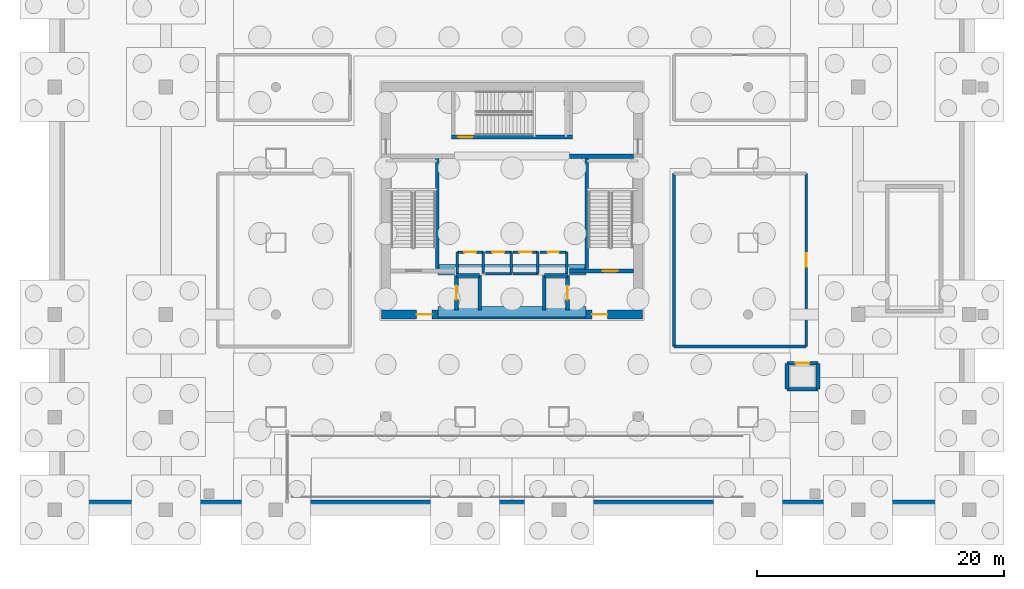
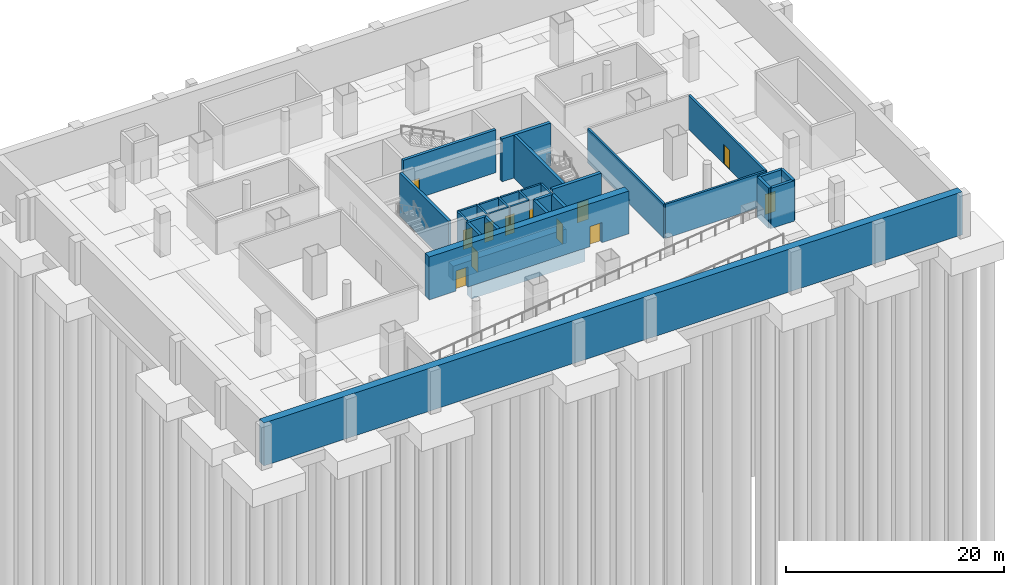
# One storey, part 4 of 11: 33 walls, 12 doors, 12 openings.
"""IFC4 building model written with IfcOpenShell, lengths in metres."""

from ifc_helpers import new_model, si_unit, direction, frame, frame_2d, origin, place, context, subcontext, project, spatial, rectangle, extrude, material, layer, layer_set, type_object, element, fill, save


model = new_model("IFC4")

# Units and contexts
model_context = context("Model", 3, precision=1e-05, world=origin(), true_north=direction((0.0, 1.0)))
body_context = subcontext(model_context, "Body", "Model", "MODEL_VIEW")
ifc_project = project(units=[si_unit("LENGTHUNIT", "METRE"), si_unit("AREAUNIT", "SQUARE_METRE"), si_unit("VOLUMEUNIT", "CUBIC_METRE"), si_unit("PLANEANGLEUNIT", "RADIAN"), si_unit("MASSUNIT", "GRAM", prefix="KILO")], contexts=[model_context])

# Site, building, storey
site_placement = place(None, origin())
site = spatial("IfcSite", under=ifc_project, at=site_placement, CompositionType="ELEMENT")
building_placement = place(site_placement, origin())
building = spatial("IfcBuilding", under=site, at=building_placement, Name="Punatoya Terracotta Tower", CompositionType="ELEMENT")
storey_placement = place(building_placement, frame((0.0, 0.0, -9.60009765625)))
storey = spatial("IfcBuildingStorey", under=building, at=storey_placement, Name="B2", CompositionType="ELEMENT", Elevation=-9.60009765625)

# Wall, openings, doors
ifc_material_1 = material(Name="Concrete C60/75", Category="concrete")
ifc_layer_1 = layer(ifc_material_1, 0.75)
ifc_layer_set_1 = layer_set([ifc_layer_1], Name="Concrete C60/75")
wall_type_1 = type_object("IfcWallType", Name="WL-COR-750", PredefinedType="SHEAR", material=ifc_layer_set_1)
wall_1_placement = place(storey_placement, frame((10.574951171875, -9.199951171875, 0.0), z_axis=(0.0, 0.0, 1.0), x_axis=(-1.0, 0.0, 0.0)))
wall_1 = element("IfcWall", 1, at=wall_1_placement, inside=storey, type_object=wall_type_1, Name="B2 Core Shear Wall S", PredefinedType="SHEAR", context=body_context, shape_type="SweptSolid", body=[
    extrude(rectangle(XDim=21.14990234375, YDim=0.75, at=frame_2d((10.574951171875, 0.0))), origin(), (0.0, 0.0, 1.0), 4.800048828125),
])
opening_1_placement = place(wall_1_placement, frame((2.85009765625, 0.0, 0.0)))
opening_1 = element("IfcOpeningElement", 2, at=opening_1_placement, cuts=wall_1, Name="Opening FD-L1", PredefinedType="OPENING", context=body_context, shape_type="SweptSolid", body=[
    extrude(rectangle(XDim=1.25, YDim=2.25, at=frame_2d((0.625, 1.125))), frame((0.0, 0.385009765625, 0.0), z_axis=(0.0, -1.0, 0.0), x_axis=(1.0, 0.0, 0.0)), (0.0, 0.0, 1.0), 0.77001953125),
])
opening_2_placement = place(wall_1_placement, frame((17.050048828125, 0.0, 0.0)))
opening_2 = element("IfcOpeningElement", 3, at=opening_2_placement, cuts=wall_1, Name="Opening FD-L1", PredefinedType="OPENING", context=body_context, shape_type="SweptSolid", body=[
    extrude(rectangle(XDim=1.25, YDim=2.25, at=frame_2d((0.625, 1.125))), frame((0.0, 0.385009765625, 0.0), z_axis=(0.0, -1.0, 0.0), x_axis=(1.0, 0.0, 0.0)), (0.0, 0.0, 1.0), 0.77001953125),
])
ifc_material_2 = material(Name="Galvanised Steel Smokeproof Fire Door", Category="steel")
door_type_1 = type_object("IfcDoorType", Name="DR-FFL-1250", OperationType="NOTDEFINED", PredefinedType="DOOR", material=ifc_material_2)
door_1_placement = place(opening_1_placement, origin())
door_1 = element("IfcDoor", 4, at=door_1_placement, inside=storey, type_object=door_type_1, Name="B2 East Firefighting Lobby Corridor Fire Door", OperationType="SINGLE_SWING_LEFT", OverallHeight=2.25, OverallWidth=1.25, PredefinedType="DOOR", context=body_context, shape_type="SweptSolid", body=[
    extrude(rectangle(XDim=1.25, YDim=2.25, at=frame_2d((0.625, 1.125))), frame((0.0, 0.02490234375, 0.0), z_axis=(0.0, -1.0, 0.0), x_axis=(1.0, 0.0, 0.0)), (0.0, 0.0, 1.0), 0.050048828125),
])
fill(opening_1, door_1)
door_2_placement = place(opening_2_placement, origin())
door_2 = element("IfcDoor", 5, at=door_2_placement, inside=storey, type_object=door_type_1, Name="B2 West Firefighting Lobby Corridor Fire Door", OperationType="SINGLE_SWING_RIGHT", OverallHeight=2.25, OverallWidth=1.25, PredefinedType="DOOR", context=body_context, shape_type="SweptSolid", body=[
    extrude(rectangle(XDim=1.25, YDim=2.25, at=frame_2d((0.625, 1.125))), frame((0.0, 0.02490234375, 0.0), z_axis=(0.0, -1.0, 0.0), x_axis=(1.0, 0.0, 0.0)), (0.0, 0.0, 1.0), 0.050048828125),
])
fill(opening_2, door_2)

# Wall, opening, door
ifc_material_3 = material(Name="Concrete C40/50", Category="concrete")
ifc_layer_2 = layer(ifc_material_3, 0.219970703125)
ifc_layer_set_2 = layer_set([ifc_layer_2], Name="Concrete C40/50")
wall_type_2 = type_object("IfcWallType", Name="WL-FIR-220", PredefinedType="SOLIDWALL", material=ifc_layer_set_2)
wall_2_placement = place(storey_placement, frame((23.800048828125, -11.800048828125, 0.0), z_axis=(0.0, 0.0, 1.0), x_axis=(0.0, 1.0, 0.0)))
wall_2 = element("IfcWall", 6, at=wall_2_placement, inside=storey, type_object=wall_type_2, Name="B2 Sewage Treatment and Greywater Recycling Plant Partition 20", PredefinedType="SOLIDWALL", context=body_context, shape_type="SweptSolid", body=[
    extrude(rectangle(XDim=14.0, YDim=0.219970703125, at=frame_2d((7.0, 0.0))), origin(), (0.0, 0.0, 1.0), 3.814208984375),
])
opening_3_placement = place(wall_2_placement, frame((6.449951171875, 0.0, 0.0)))
opening_3 = element("IfcOpeningElement", 7, at=opening_3_placement, cuts=wall_2, Name="Opening FD-P1", PredefinedType="OPENING", context=body_context, shape_type="SweptSolid", body=[
    extrude(rectangle(XDim=1.10009765625, YDim=2.199951171875, at=frame_2d((0.550048828125, 1.10009765625))), frame((0.0, 0.119873046875, 0.0), z_axis=(0.0, -1.0, 0.0), x_axis=(1.0, 0.0, 0.0)), (0.0, 0.0, 1.0), 0.239990234375),
])
ifc_material_4 = material(Name="Galvanised Steel Plant Fire Door", Category="steel")
door_type_2 = type_object("IfcDoorType", Name="DR-PLT-1100", OperationType="NOTDEFINED", PredefinedType="DOOR", material=ifc_material_4)
door_3_placement = place(opening_3_placement, origin())
door_3 = element("IfcDoor", 8, at=door_3_placement, inside=storey, type_object=door_type_2, Name="B2 Sewage Treatment and Greywater Recycling Plant Fire Door", OperationType="SINGLE_SWING_LEFT", OverallHeight=2.199951171875, OverallWidth=1.10009765625, PredefinedType="DOOR", context=body_context, shape_type="SweptSolid", body=[
    extrude(rectangle(XDim=1.10009765625, YDim=2.199951171875, at=frame_2d((0.550048828125, 1.10009765625))), frame((0.0, 0.02490234375, 0.0), z_axis=(0.0, -1.0, 0.0), x_axis=(1.0, 0.0, 0.0)), (0.0, 0.0, 1.0), 0.050048828125),
])
fill(opening_3, door_3)

# Walls
wall_3_placement = place(storey_placement, frame((13.10009765625, 2.199951171875, 0.0), z_axis=(0.0, 0.0, 1.0), x_axis=(0.0, -1.0, 0.0)))
element("IfcWall", 9, at=wall_3_placement, inside=storey, type_object=wall_type_2, Name="B2 Sewage Treatment and Greywater Recycling Plant Partition 22", PredefinedType="SOLIDWALL", context=body_context, shape_type="SweptSolid", body=[
    extrude(rectangle(XDim=14.0, YDim=0.219970703125, at=frame_2d((7.0, 0.0))), origin(), (0.0, 0.0, 1.0), 3.814208984375),
])
wall_4_placement = place(storey_placement, frame((13.10009765625, -11.800048828125, 0.0), z_axis=(0.0, 0.0, 1.0), x_axis=(1.0, 0.0, 0.0)))
element("IfcWall", 10, at=wall_4_placement, inside=storey, type_object=wall_type_2, Name="B2 Sewage Treatment and Greywater Recycling Plant Partition 23", PredefinedType="SOLIDWALL", context=body_context, shape_type="SweptSolid", body=[
    extrude(rectangle(XDim=10.699951171875, YDim=0.219970703125, at=frame_2d((5.35009765625, 0.0))), origin(), (0.0, 0.0, 1.0), 3.814208984375),
])
ifc_layer_3 = layer(ifc_material_3, 0.199951171875)
ifc_layer_set_3 = layer_set([ifc_layer_3], Name="Concrete C40/50")
wall_type_3 = type_object("IfcWallType", Name="WL-INT-200", PredefinedType="SOLIDWALL", material=ifc_layer_set_3)
wall_5_placement = place(storey_placement, frame((-2.320068359375, -5.89990234375, 0.0), z_axis=(0.0, 0.0, 1.0), x_axis=(0.0, 1.0, 0.0)))
element("IfcWall", 11, at=wall_5_placement, inside=storey, type_object=wall_type_3, Name="B2 Staff Male Washroom Partition 01", PredefinedType="SOLIDWALL", context=body_context, shape_type="SweptSolid", body=[
    extrude(rectangle(XDim=1.739990234375, YDim=0.199951171875, at=frame_2d((0.8701171875, 0.0))), origin(), (0.0, 0.0, 1.0), 4.52001953125),
])

# Wall, opening, door
wall_6_placement = place(storey_placement, frame((-2.320068359375, -4.159912109375, 0.0), z_axis=(0.0, 0.0, 1.0), x_axis=(-1.0, 0.0, 0.0)))
wall_6 = element("IfcWall", 12, at=wall_6_placement, inside=storey, type_object=wall_type_3, Name="B2 Staff Male Washroom Partition 02", PredefinedType="SOLIDWALL", context=body_context, shape_type="SweptSolid", body=[
    extrude(rectangle(XDim=2.099853515625, YDim=0.199951171875, at=frame_2d((1.0498046875, 0.0))), origin(), (0.0, 0.0, 1.0), 4.52001953125),
])
opening_4_placement = place(wall_6_placement, frame((0.574951171875, 0.0, 0.0)))
opening_4 = element("IfcOpeningElement", 13, at=opening_4_placement, cuts=wall_6, Name="Opening WD-01", PredefinedType="OPENING", context=body_context, shape_type="SweptSolid", body=[
    extrude(rectangle(XDim=0.949951171875, YDim=2.14990234375, at=frame_2d((0.47509765625, 1.074951171875))), frame((0.0, 0.10986328125, 0.0), z_axis=(0.0, -1.0, 0.0), x_axis=(1.0, 0.0, 0.0)), (0.0, 0.0, 1.0), 0.219970703125),
])
ifc_material_5 = material(Name="Moisture-Resistant Laminate Timber Leaf", Category="wood")
door_type_3 = type_object("IfcDoorType", Name="DR-WC-950", OperationType="NOTDEFINED", PredefinedType="DOOR", material=ifc_material_5)
door_4_placement = place(opening_4_placement, origin())
door_4 = element("IfcDoor", 14, at=door_4_placement, inside=storey, type_object=door_type_3, Name="B2 Staff Male Washroom Door", OperationType="SINGLE_SWING_LEFT", OverallHeight=2.14990234375, OverallWidth=0.949951171875, PredefinedType="DOOR", context=body_context, shape_type="SweptSolid", body=[
    extrude(rectangle(XDim=0.949951171875, YDim=2.14990234375, at=frame_2d((0.47509765625, 1.074951171875))), frame((0.0, 0.02490234375, 0.0), z_axis=(0.0, -1.0, 0.0), x_axis=(1.0, 0.0, 0.0)), (0.0, 0.0, 1.0), 0.050048828125),
])
fill(opening_4, door_4)

# Walls
for number, where, z_axis, x_axis, name in (
    (15, (-4.419921875, -4.159912109375, 0.0), (0.0, 0.0, 1.0), (0.0, -1.0, 0.0), "B2 Staff Male Washroom Partition 03"),
    (16, (-0.06005859375, -5.89990234375, 0.0), (0.0, 0.0, 1.0), (0.0, 1.0, 0.0), "B2 Staff Female Washroom Partition 04"),
):
    element("IfcWall", number, at=place(storey_placement, frame(where, z_axis=z_axis, x_axis=x_axis)), inside=storey, type_object=wall_type_3, Name=name, PredefinedType="SOLIDWALL", context=body_context, shape_type="SweptSolid", body=[
        extrude(rectangle(XDim=1.739990234375, YDim=0.199951171875, at=frame_2d((0.8701171875, 0.0))), origin(), (0.0, 0.0, 1.0), 4.52001953125),
    ])

# Wall, opening, door
wall_7_placement = place(storey_placement, frame((-0.06005859375, -4.159912109375, 0.0), z_axis=(0.0, 0.0, 1.0), x_axis=(-1.0, 0.0, 0.0)))
wall_7 = element("IfcWall", 17, at=wall_7_placement, inside=storey, type_object=wall_type_3, Name="B2 Staff Female Washroom Partition 05", PredefinedType="SOLIDWALL", context=body_context, shape_type="SweptSolid", body=[
    extrude(rectangle(XDim=2.099853515625, YDim=0.199951171875, at=frame_2d((1.0498046875, 0.0))), origin(), (0.0, 0.0, 1.0), 4.52001953125),
])
opening_5_placement = place(wall_7_placement, frame((0.574951171875, 0.0, 0.0)))
opening_5 = element("IfcOpeningElement", 18, at=opening_5_placement, cuts=wall_7, Name="Opening WD-01", PredefinedType="OPENING", context=body_context, shape_type="SweptSolid", body=[
    extrude(rectangle(XDim=0.949951171875, YDim=2.14990234375, at=frame_2d((0.47509765625, 1.074951171875))), frame((0.0, 0.10986328125, 0.0), z_axis=(0.0, -1.0, 0.0), x_axis=(1.0, 0.0, 0.0)), (0.0, 0.0, 1.0), 0.219970703125),
])
door_5_placement = place(opening_5_placement, origin())
door_5 = element("IfcDoor", 19, at=door_5_placement, inside=storey, type_object=door_type_3, Name="B2 Staff Female Washroom Door", OperationType="SINGLE_SWING_RIGHT", OverallHeight=2.14990234375, OverallWidth=0.949951171875, PredefinedType="DOOR", context=body_context, shape_type="SweptSolid", body=[
    extrude(rectangle(XDim=0.949951171875, YDim=2.14990234375, at=frame_2d((0.47509765625, 1.074951171875))), frame((0.0, 0.02490234375, 0.0), z_axis=(0.0, -1.0, 0.0), x_axis=(1.0, 0.0, 0.0)), (0.0, 0.0, 1.0), 0.050048828125),
])
fill(opening_5, door_5)

# Walls
wall_8_placement = place(storey_placement, frame((-2.159912109375, -5.89990234375, 0.0), z_axis=(0.0, 0.0, 1.0), x_axis=(1.0, 0.0, 0.0)))
element("IfcWall", 20, at=wall_8_placement, inside=storey, type_object=wall_type_3, Name="B2 Staff Female Washroom Partition 06", PredefinedType="SOLIDWALL", context=body_context, shape_type="SweptSolid", body=[
    extrude(rectangle(XDim=2.099853515625, YDim=0.199951171875, at=frame_2d((1.0498046875, 0.0))), origin(), (0.0, 0.0, 1.0), 4.52001953125),
])
wall_9_placement = place(storey_placement, frame((2.10009765625, -5.89990234375, 0.0), z_axis=(0.0, 0.0, 1.0), x_axis=(0.0, 1.0, 0.0)))
element("IfcWall", 21, at=wall_9_placement, inside=storey, type_object=wall_type_3, Name="B2 Accessible Universal Washroom Partition 07", PredefinedType="SOLIDWALL", context=body_context, shape_type="SweptSolid", body=[
    extrude(rectangle(XDim=1.739990234375, YDim=0.199951171875, at=frame_2d((0.8701171875, 0.0))), origin(), (0.0, 0.0, 1.0), 4.52001953125),
])

# Wall, opening, door
wall_10_placement = place(storey_placement, frame((2.10009765625, -4.159912109375, 0.0), z_axis=(0.0, 0.0, 1.0), x_axis=(-1.0, 0.0, 0.0)))
wall_10 = element("IfcWall", 22, at=wall_10_placement, inside=storey, type_object=wall_type_3, Name="B2 Accessible Universal Washroom Partition 08", PredefinedType="SOLIDWALL", context=body_context, shape_type="SweptSolid", body=[
    extrude(rectangle(XDim=2.0, YDim=0.199951171875, at=frame_2d((1.0, 0.0))), origin(), (0.0, 0.0, 1.0), 4.52001953125),
])
opening_6_placement = place(wall_10_placement, frame((0.5, 0.0, 0.0)))
opening_6 = element("IfcOpeningElement", 23, at=opening_6_placement, cuts=wall_10, Name="Opening AWD-1", PredefinedType="OPENING", context=body_context, shape_type="SweptSolid", body=[
    extrude(rectangle(XDim=1.0, YDim=2.14990234375, at=frame_2d((0.5, 1.074951171875))), frame((0.0, 0.10986328125, 0.0), z_axis=(0.0, -1.0, 0.0), x_axis=(1.0, 0.0, 0.0)), (0.0, 0.0, 1.0), 0.219970703125),
])
ifc_material_6 = material(Name="Bengal Teak Accessible WC Leaf")
door_type_4 = type_object("IfcDoorType", Name="DR-ACC-1000", OperationType="NOTDEFINED", PredefinedType="DOOR", material=ifc_material_6)
door_6_placement = place(opening_6_placement, origin())
door_6 = element("IfcDoor", 24, at=door_6_placement, inside=storey, type_object=door_type_4, Name="B2 Accessible Universal Washroom Door", OperationType="SINGLE_SWING_LEFT", OverallHeight=2.14990234375, OverallWidth=1.0, PredefinedType="DOOR", context=body_context, shape_type="SweptSolid", body=[
    extrude(rectangle(XDim=1.0, YDim=2.14990234375, at=frame_2d((0.5, 1.074951171875))), frame((0.0, 0.02490234375, 0.0), z_axis=(0.0, -1.0, 0.0), x_axis=(1.0, 0.0, 0.0)), (0.0, 0.0, 1.0), 0.050048828125),
])
fill(opening_6, door_6)

# Walls
wall_11_placement = place(storey_placement, frame((0.10009765625, -5.89990234375, 0.0), z_axis=(0.0, 0.0, 1.0), x_axis=(1.0, 0.0, 0.0)))
element("IfcWall", 25, at=wall_11_placement, inside=storey, type_object=wall_type_3, Name="B2 Accessible Universal Washroom Partition 09", PredefinedType="SOLIDWALL", context=body_context, shape_type="SweptSolid", body=[
    extrude(rectangle(XDim=2.0, YDim=0.199951171875, at=frame_2d((1.0, 0.0))), origin(), (0.0, 0.0, 1.0), 4.52001953125),
])
wall_12_placement = place(storey_placement, frame((4.419921875, -5.89990234375, 0.0), z_axis=(0.0, 0.0, 1.0), x_axis=(0.0, 1.0, 0.0)))
element("IfcWall", 26, at=wall_12_placement, inside=storey, type_object=wall_type_3, Name="B2 Core Electrical Switchgear Room Partition 10", PredefinedType="SOLIDWALL", context=body_context, shape_type="SweptSolid", body=[
    extrude(rectangle(XDim=1.739990234375, YDim=0.199951171875, at=frame_2d((0.8701171875, 0.0))), origin(), (0.0, 0.0, 1.0), 4.52001953125),
])

# Wall, opening, door
wall_13_placement = place(storey_placement, frame((4.419921875, -4.159912109375, 0.0), z_axis=(0.0, 0.0, 1.0), x_axis=(-1.0, 0.0, 0.0)))
wall_13 = element("IfcWall", 27, at=wall_13_placement, inside=storey, type_object=wall_type_3, Name="B2 Core Electrical Switchgear Room Partition 11", PredefinedType="SOLIDWALL", context=body_context, shape_type="SweptSolid", body=[
    extrude(rectangle(XDim=2.159912109375, YDim=0.199951171875, at=frame_2d((1.080078125, 0.0))), origin(), (0.0, 0.0, 1.0), 4.52001953125),
])
opening_7_placement = place(wall_13_placement, frame((0.6201171875, 0.0, 0.0)))
opening_7 = element("IfcOpeningElement", 28, at=opening_7_placement, cuts=wall_13, Name="Opening FD-R1", PredefinedType="OPENING", context=body_context, shape_type="SweptSolid", body=[
    extrude(rectangle(XDim=0.919921875, YDim=2.10009765625, at=frame_2d((0.4599609375, 1.050048828125))), frame((0.0, 0.10986328125, 0.0), z_axis=(0.0, -1.0, 0.0), x_axis=(1.0, 0.0, 0.0)), (0.0, 0.0, 1.0), 0.219970703125),
])
ifc_material_7 = material(Name="Galvanised Steel Riser Fire Access Door", Category="steel")
door_type_5 = type_object("IfcDoorType", Name="DR-RSR-920", OperationType="NOTDEFINED", PredefinedType="DOOR", material=ifc_material_7)
door_7_placement = place(opening_7_placement, origin())
door_7 = element("IfcDoor", 29, at=door_7_placement, inside=storey, type_object=door_type_5, Name="B2 Core Electrical Switchgear Room Fire Door", OperationType="SINGLE_SWING_RIGHT", OverallHeight=2.10009765625, OverallWidth=0.919921875, PredefinedType="DOOR", context=body_context, shape_type="SweptSolid", body=[
    extrude(rectangle(XDim=0.919921875, YDim=2.10009765625, at=frame_2d((0.4599609375, 1.050048828125))), frame((0.0, 0.02490234375, 0.0), z_axis=(0.0, -1.0, 0.0), x_axis=(1.0, 0.0, 0.0)), (0.0, 0.0, 1.0), 0.050048828125),
])
fill(opening_7, door_7)

# Walls
ifc_layer_4 = layer(ifc_material_1, 0.800048828125)
ifc_layer_set_4 = layer_set([ifc_layer_4], Name="Concrete C60/75")
wall_type_4 = type_object("IfcWallType", Name="WL-RET-800", PredefinedType="USERDEFINED", material=ifc_layer_set_4)
wall_14_placement = place(storey_placement, frame((37.0, -24.60009765625, 0.0), z_axis=(0.0, 0.0, 1.0), x_axis=(-1.0, 0.0, 0.0)))
element("IfcWall", 30, at=wall_14_placement, inside=storey, type_object=wall_type_4, Name="B2 Perimeter Retaining Wall South", ObjectType="RETAININGWALL", PredefinedType="USERDEFINED", context=body_context, shape_type="SweptSolid", body=[
    extrude(rectangle(XDim=74.0, YDim=0.800048828125, at=frame_2d((37.0, 0.0))), origin(), (0.0, 0.0, 1.0), 4.800048828125),
])
ifc_layer_5 = layer(ifc_material_1, 0.85009765625)
ifc_layer_set_5 = layer_set([ifc_layer_5], Name="Concrete C60/75")
wall_type_5 = type_object("IfcWallType", Name="WL-RET-850", PredefinedType="USERDEFINED", material=ifc_layer_set_5)
for number, where, z_axis, x_axis, name in (
    (31, (-6.0, -9.0, -1.599853515625), (0.0, 0.0, 1.0), (1.0, 0.0, 0.0), "B2 Deep Lift Pit Sump Wall S"),
    (32, (-6.0, -5.60009765625, -1.599853515625), (0.0, 0.0, 1.0), (1.0, 0.0, 0.0), "B2 Deep Lift Pit Sump Wall N"),
):
    element("IfcWall", number, at=place(storey_placement, frame(where, z_axis=z_axis, x_axis=x_axis)), inside=storey, type_object=wall_type_5, Name=name, ObjectType="RETAININGWALL", PredefinedType="USERDEFINED", context=body_context, shape_type="SweptSolid", body=[
        extrude(rectangle(XDim=12.0, YDim=0.85009765625, at=frame_2d((6.0, 0.0))), origin(), (0.0, 0.0, 1.0), 1.599853515625),
    ])
ifc_layer_6 = layer(ifc_material_3, 0.300048828125)
ifc_layer_set_6 = layer_set([ifc_layer_6], Name="Concrete C40/50")
wall_type_6 = type_object("IfcWallType", Name="WL-SHF-300", PredefinedType="SOLIDWALL", material=ifc_layer_set_6)
for number, where, z_axis, x_axis, name in (
    (33, (-6.050048828125, -5.5, 0.0), (0.0, 0.0, 1.0), (0.0, 1.0, 0.0), "B2 Structural Stair Shaft Wall SW-ST1-E"),
    (34, (6.050048828125, 3.449951171875, 0.0), (0.0, 0.0, 1.0), (0.0, -1.0, 0.0), "B2 Structural Stair Shaft Wall SW-ST2-W"),
):
    element("IfcWall", number, at=place(storey_placement, frame(where, z_axis=z_axis, x_axis=x_axis)), inside=storey, type_object=wall_type_6, Name=name, PredefinedType="SOLIDWALL", context=body_context, shape_type="SweptSolid", body=[
        extrude(rectangle(XDim=8.949951171875, YDim=0.300048828125, at=frame_2d((4.47509765625, 0.0))), origin(), (0.0, 0.0, 1.0), 4.800048828125),
    ])

# Wall, opening, door
wall_15_placement = place(storey_placement, frame((-4.89990234375, 5.14990234375, 0.0), z_axis=(0.0, 0.0, 1.0), x_axis=(1.0, 0.0, 0.0)))
wall_15 = element("IfcWall", 35, at=wall_15_placement, inside=storey, type_object=wall_type_6, Name="B2 Structural Stair Shaft Wall SW-ST3-S", PredefinedType="SOLIDWALL", context=body_context, shape_type="SweptSolid", body=[
    extrude(rectangle(XDim=9.7998046875, YDim=0.300048828125, at=frame_2d((4.89990234375, 0.0))), origin(), (0.0, 0.0, 1.0), 4.800048828125),
])
opening_8_placement = place(wall_15_placement, frame((0.56005859375, 0.0, 0.0)))
opening_8 = element("IfcOpeningElement", 36, at=opening_8_placement, cuts=wall_15, Name="Opening SD-01", PredefinedType="OPENING", context=body_context, shape_type="SweptSolid", body=[
    extrude(rectangle(XDim=1.179931640625, YDim=2.199951171875, at=frame_2d((0.58984375, 1.10009765625))), frame((0.0, 0.159912109375, 0.0), z_axis=(0.0, -1.0, 0.0), x_axis=(1.0, 0.0, 0.0)), (0.0, 0.0, 1.0), 0.320068359375),
])
ifc_material_8 = material(Name="Galvanised Steel Pressurized Stair Fire Door", Category="steel")
door_type_6 = type_object("IfcDoorType", Name="DR-STR-1180", OperationType="NOTDEFINED", PredefinedType="DOOR", material=ifc_material_8)
door_8_placement = place(opening_8_placement, origin())
door_8 = element("IfcDoor", 37, at=door_8_placement, inside=storey, type_object=door_type_6, Name="B2 Stair ST-3 Core Lobby Fire Door", OperationType="SINGLE_SWING_LEFT", OverallHeight=2.199951171875, OverallWidth=1.179931640625, PredefinedType="DOOR", context=body_context, shape_type="SweptSolid", body=[
    extrude(rectangle(XDim=1.179931640625, YDim=2.199951171875, at=frame_2d((0.58984375, 1.10009765625))), frame((0.0, 0.02490234375, 0.0), z_axis=(0.0, -1.0, 0.0), x_axis=(1.0, 0.0, 0.0)), (0.0, 0.0, 1.0), 0.050048828125),
])
fill(opening_8, door_8)

wall_16_placement = place(storey_placement, frame((-4.489990234375, -8.820068359375, 0.0), z_axis=(0.0, 0.0, 1.0), x_axis=(0.0, 1.0, 0.0)))
wall_16 = element("IfcWall", 38, at=wall_16_placement, inside=storey, type_object=wall_type_6, Name="B2 FFL-1 Front Hoistway Wall", PredefinedType="SOLIDWALL", context=body_context, shape_type="SweptSolid", body=[
    extrude(rectangle(XDim=2.77001953125, YDim=0.300048828125, at=frame_2d((1.385009765625, 0.0))), origin(), (0.0, 0.0, 1.0), 4.52001953125),
])
opening_9_placement = place(wall_16_placement, frame((0.824951171875, 0.0, 0.0)))
opening_9 = element("IfcOpeningElement", 39, at=opening_9_placement, cuts=wall_16, Name="Opening LD-02", PredefinedType="OPENING", context=body_context, shape_type="SweptSolid", body=[
    extrude(rectangle(XDim=1.1201171875, YDim=2.25, at=frame_2d((0.56005859375, 1.125))), frame((0.0, 0.159912109375, 0.0), z_axis=(0.0, -1.0, 0.0), x_axis=(1.0, 0.0, 0.0)), (0.0, 0.0, 1.0), 0.320068359375),
])
ifc_material_9 = material(Name="Stainless Steel Lift Landing Door", Category="steel")
door_type_7 = type_object("IfcDoorType", Name="DR-LND-1120", OperationType="NOTDEFINED", PredefinedType="DOOR", material=ifc_material_9)
door_9_placement = place(opening_9_placement, origin())
door_9 = element("IfcDoor", 40, at=door_9_placement, inside=storey, type_object=door_type_7, Name="B2 Firefighting Lift FFL-1 Sliding Landing Door", OperationType="SLIDING_TO_LEFT", OverallHeight=2.25, OverallWidth=1.1201171875, PredefinedType="DOOR", context=body_context, shape_type="SweptSolid", body=[
    extrude(rectangle(XDim=1.1201171875, YDim=2.25, at=frame_2d((0.56005859375, 1.125))), frame((0.0, 0.02490234375, 0.0), z_axis=(0.0, -1.0, 0.0), x_axis=(1.0, 0.0, 0.0)), (0.0, 0.0, 1.0), 0.050048828125),
])
fill(opening_9, door_9)

# Walls
wall_17_placement = place(storey_placement, frame((-2.610107421875, -8.820068359375, 0.0), z_axis=(0.0, 0.0, 1.0), x_axis=(0.0, 1.0, 0.0)))
element("IfcWall", 41, at=wall_17_placement, inside=storey, type_object=wall_type_6, Name="B2 FFL-1 Rear Hoistway Wall", PredefinedType="SOLIDWALL", context=body_context, shape_type="SweptSolid", body=[
    extrude(rectangle(XDim=2.77001953125, YDim=0.300048828125, at=frame_2d((1.385009765625, 0.0))), origin(), (0.0, 0.0, 1.0), 4.52001953125),
])
wall_18_placement = place(storey_placement, frame((-4.489990234375, -6.050048828125, 0.0), z_axis=(0.0, 0.0, 1.0), x_axis=(1.0, 0.0, 0.0)))
element("IfcWall", 42, at=wall_18_placement, inside=storey, type_object=wall_type_6, Name="B2 FFL-1 North Hoistway Wall", PredefinedType="SOLIDWALL", context=body_context, shape_type="SweptSolid", body=[
    extrude(rectangle(XDim=1.8798828125, YDim=0.300048828125, at=frame_2d((0.93994140625, 0.0))), origin(), (0.0, 0.0, 1.0), 4.52001953125),
])

# Wall, opening, door
wall_19_placement = place(storey_placement, frame((4.489990234375, -8.820068359375, 0.0), z_axis=(0.0, 0.0, 1.0), x_axis=(0.0, 1.0, 0.0)))
wall_19 = element("IfcWall", 43, at=wall_19_placement, inside=storey, type_object=wall_type_6, Name="B2 FFL-2 Front Hoistway Wall", PredefinedType="SOLIDWALL", context=body_context, shape_type="SweptSolid", body=[
    extrude(rectangle(XDim=2.77001953125, YDim=0.300048828125, at=frame_2d((1.385009765625, 0.0))), origin(), (0.0, 0.0, 1.0), 4.52001953125),
])
opening_10_placement = place(wall_19_placement, frame((0.824951171875, 0.0, 0.0)))
opening_10 = element("IfcOpeningElement", 44, at=opening_10_placement, cuts=wall_19, Name="Opening LD-02", PredefinedType="OPENING", context=body_context, shape_type="SweptSolid", body=[
    extrude(rectangle(XDim=1.1201171875, YDim=2.25, at=frame_2d((0.56005859375, 1.125))), frame((0.0, 0.159912109375, 0.0), z_axis=(0.0, -1.0, 0.0), x_axis=(1.0, 0.0, 0.0)), (0.0, 0.0, 1.0), 0.320068359375),
])
door_10_placement = place(opening_10_placement, origin())
door_10 = element("IfcDoor", 45, at=door_10_placement, inside=storey, type_object=door_type_7, Name="B2 Firefighting Lift FFL-2 Sliding Landing Door", OperationType="SLIDING_TO_RIGHT", OverallHeight=2.25, OverallWidth=1.1201171875, PredefinedType="DOOR", context=body_context, shape_type="SweptSolid", body=[
    extrude(rectangle(XDim=1.1201171875, YDim=2.25, at=frame_2d((0.56005859375, 1.125))), frame((0.0, 0.02490234375, 0.0), z_axis=(0.0, -1.0, 0.0), x_axis=(1.0, 0.0, 0.0)), (0.0, 0.0, 1.0), 0.050048828125),
])
fill(opening_10, door_10)

# Walls
wall_20_placement = place(storey_placement, frame((2.610107421875, -8.820068359375, 0.0), z_axis=(0.0, 0.0, 1.0), x_axis=(0.0, 1.0, 0.0)))
element("IfcWall", 46, at=wall_20_placement, inside=storey, type_object=wall_type_6, Name="B2 FFL-2 Rear Hoistway Wall", PredefinedType="SOLIDWALL", context=body_context, shape_type="SweptSolid", body=[
    extrude(rectangle(XDim=2.77001953125, YDim=0.300048828125, at=frame_2d((1.385009765625, 0.0))), origin(), (0.0, 0.0, 1.0), 4.52001953125),
])
wall_21_placement = place(storey_placement, frame((2.610107421875, -6.050048828125, 0.0), z_axis=(0.0, 0.0, 1.0), x_axis=(1.0, 0.0, 0.0)))
element("IfcWall", 47, at=wall_21_placement, inside=storey, type_object=wall_type_6, Name="B2 FFL-2 North Hoistway Wall", PredefinedType="SOLIDWALL", context=body_context, shape_type="SweptSolid", body=[
    extrude(rectangle(XDim=1.8798828125, YDim=0.300048828125, at=frame_2d((0.93994140625, 0.0))), origin(), (0.0, 0.0, 1.0), 4.52001953125),
])

# Wall, opening, door
wall_22_placement = place(storey_placement, frame((22.25, -13.14990234375, 0.0), z_axis=(0.0, 0.0, 1.0), x_axis=(1.0, 0.0, 0.0)))
wall_22 = element("IfcWall", 48, at=wall_22_placement, inside=storey, type_object=wall_type_6, Name="B2 Podium Lift PL-P2 Front Wall", PredefinedType="SOLIDWALL", context=body_context, shape_type="SweptSolid", body=[
    extrude(rectangle(XDim=2.5, YDim=0.300048828125, at=frame_2d((1.25, 0.0))), origin(), (0.0, 0.0, 1.0), 4.52001953125),
])
opening_11_placement = place(wall_22_placement, frame((0.68994140625, 0.0, 0.0)))
opening_11 = element("IfcOpeningElement", 49, at=opening_11_placement, cuts=wall_22, Name="Opening LD-02", PredefinedType="OPENING", context=body_context, shape_type="SweptSolid", body=[
    extrude(rectangle(XDim=1.1201171875, YDim=2.25, at=frame_2d((0.56005859375, 1.125))), frame((0.0, 0.159912109375, 0.0), z_axis=(0.0, -1.0, 0.0), x_axis=(1.0, 0.0, 0.0)), (0.0, 0.0, 1.0), 0.320068359375),
])
door_11_placement = place(opening_11_placement, origin())
door_11 = element("IfcDoor", 50, at=door_11_placement, inside=storey, type_object=door_type_7, Name="B2 Podium Lift PL-P2 Sliding Landing Door", OperationType="DOUBLE_DOOR_SLIDING", OverallHeight=2.25, OverallWidth=1.1201171875, PredefinedType="DOOR", context=body_context, shape_type="SweptSolid", body=[
    extrude(rectangle(XDim=1.1201171875, YDim=2.25, at=frame_2d((0.56005859375, 1.125))), frame((0.0, 0.02490234375, 0.0), z_axis=(0.0, -1.0, 0.0), x_axis=(1.0, 0.0, 0.0)), (0.0, 0.0, 1.0), 0.050048828125),
])
fill(opening_11, door_11)

# Walls
wall_23_placement = place(storey_placement, frame((22.25, -15.25, 0.0), z_axis=(0.0, 0.0, 1.0), x_axis=(1.0, 0.0, 0.0)))
element("IfcWall", 51, at=wall_23_placement, inside=storey, type_object=wall_type_6, Name="B2 Podium Lift PL-P2 Rear Wall", PredefinedType="SOLIDWALL", context=body_context, shape_type="SweptSolid", body=[
    extrude(rectangle(XDim=2.5, YDim=0.300048828125, at=frame_2d((1.25, 0.0))), origin(), (0.0, 0.0, 1.0), 4.52001953125),
])
for number, where, z_axis, x_axis, name in (
    (52, (22.25, -15.25, 0.0), (0.0, 0.0, 1.0), (0.0, 1.0, 0.0), "B2 Podium Lift PL-P2 West Wall"),
    (53, (24.75, -15.25, 0.0), (0.0, 0.0, 1.0), (0.0, 1.0, 0.0), "B2 Podium Lift PL-P2 East Wall"),
):
    element("IfcWall", number, at=place(storey_placement, frame(where, z_axis=z_axis, x_axis=x_axis)), inside=storey, type_object=wall_type_6, Name=name, PredefinedType="SOLIDWALL", context=body_context, shape_type="SweptSolid", body=[
        extrude(rectangle(XDim=2.10009765625, YDim=0.300048828125, at=frame_2d((1.050048828125, 0.0))), origin(), (0.0, 0.0, 1.0), 4.52001953125),
    ])

# Wall, opening, door
ifc_material_10 = material(Name="Concrete C50/60", Category="concrete")
ifc_layer_7 = layer(ifc_material_10, 0.35009765625)
ifc_layer_set_7 = layer_set([ifc_layer_7], Name="Concrete C50/60")
wall_type_7 = type_object("IfcWallType", Name="WL-SHF-350", PredefinedType="SOLIDWALL", material=ifc_layer_set_7)
wall_24_placement = place(storey_placement, frame((4.64990234375, -5.679931640625, 0.0), z_axis=(0.0, 0.0, 1.0), x_axis=(1.0, 0.0, 0.0)))
wall_24 = element("IfcWall", 54, at=wall_24_placement, inside=storey, type_object=wall_type_7, Name="B2 Core Web Wall CSW-R", PredefinedType="SOLIDWALL", context=body_context, shape_type="SweptSolid", body=[
    extrude(rectangle(XDim=5.175048828125, YDim=0.35009765625, at=frame_2d((2.58740234375, 0.0))), origin(), (0.0, 0.0, 1.0), 4.800048828125),
])
opening_12_placement = place(wall_24_placement, frame((2.7099609375, 0.0, 0.0)))
opening_12 = element("IfcOpeningElement", 55, at=opening_12_placement, cuts=wall_24, Name="Opening SD-01", PredefinedType="OPENING", context=body_context, shape_type="SweptSolid", body=[
    extrude(rectangle(XDim=1.179931640625, YDim=2.199951171875, at=frame_2d((0.58984375, 1.10009765625))), frame((0.0, 0.18505859375, 0.0), z_axis=(0.0, -1.0, 0.0), x_axis=(1.0, 0.0, 0.0)), (0.0, 0.0, 1.0), 0.3701171875),
])
door_12_placement = place(opening_12_placement, origin())
door_12 = element("IfcDoor", 56, at=door_12_placement, inside=storey, type_object=door_type_6, Name="B2 Stair ST-2 Smokeproof Lobby Fire Door", OperationType="SINGLE_SWING_RIGHT", OverallHeight=2.199951171875, OverallWidth=1.179931640625, PredefinedType="DOOR", context=body_context, shape_type="SweptSolid", body=[
    extrude(rectangle(XDim=1.179931640625, YDim=2.199951171875, at=frame_2d((0.58984375, 1.10009765625))), frame((0.0, 0.02490234375, 0.0), z_axis=(0.0, -1.0, 0.0), x_axis=(1.0, 0.0, 0.0)), (0.0, 0.0, 1.0), 0.050048828125),
])
fill(opening_12, door_12)

# Wall
wall_25_placement = place(storey_placement, frame((4.64990234375, 3.60009765625, 0.0), z_axis=(0.0, 0.0, 1.0), x_axis=(1.0, 0.0, 0.0)))
element("IfcWall", 57, at=wall_25_placement, inside=storey, type_object=wall_type_7, Name="B2 Core Web Wall CNW-R", PredefinedType="SOLIDWALL", context=body_context, shape_type="SweptSolid", body=[
    extrude(rectangle(XDim=5.175048828125, YDim=0.35009765625, at=frame_2d((2.58740234375, 0.0))), origin(), (0.0, 0.0, 1.0), 4.800048828125),
])

save(model, "model.ifc")
